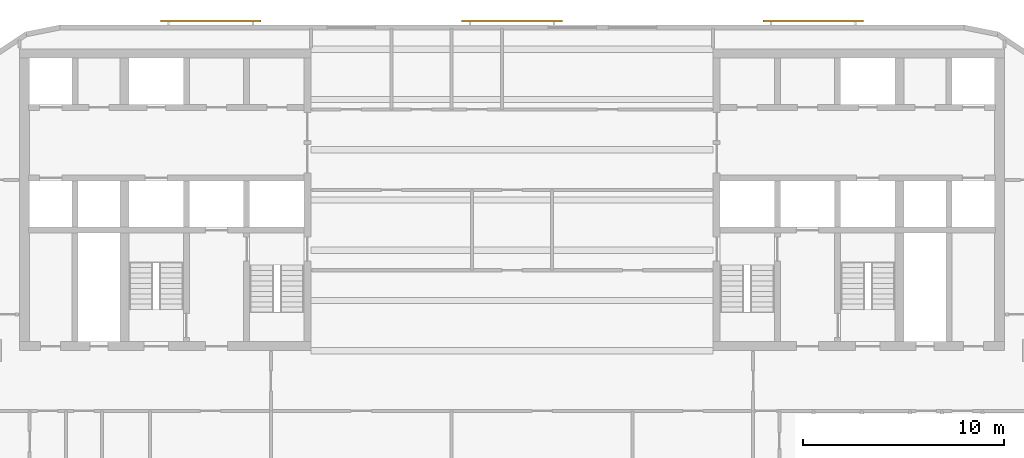
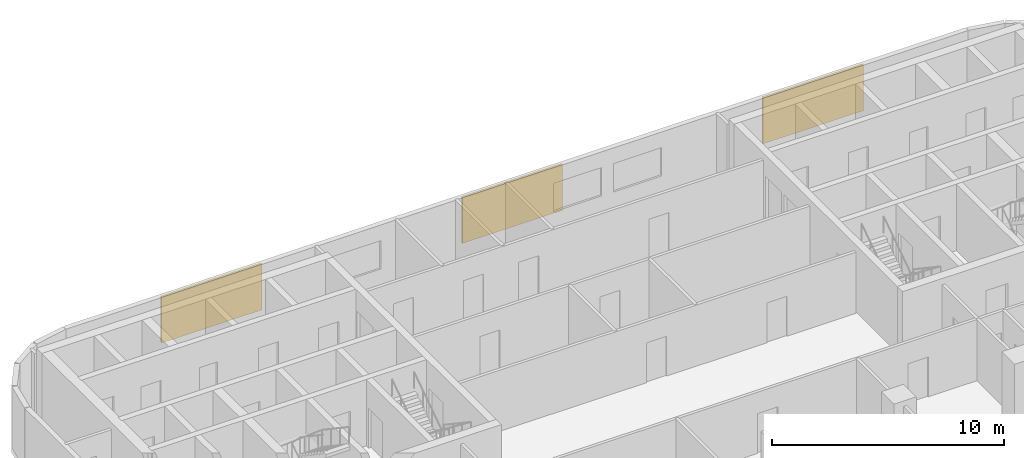
# One storey, part 10 of 11: 3 shading devices.
"""IFC4 building model written with IfcOpenShell, lengths in metres."""

from ifc_helpers import new_model, si_unit, direction, frame, origin, origin_2d, place, context, subcontext, project, spatial, rectangle, extrude, material, layer, layer_set, type_object, element, save


model = new_model("IFC4")

# Units and contexts
model_context = context("Model", 3, precision=1e-05, world=origin(), true_north=direction((0.0, 1.0)))
body_context = subcontext(model_context, "Body", "Model", "MODEL_VIEW")
ifc_project = project(units=[si_unit("LENGTHUNIT", "METRE"), si_unit("AREAUNIT", "SQUARE_METRE"), si_unit("VOLUMEUNIT", "CUBIC_METRE"), si_unit("PLANEANGLEUNIT", "RADIAN"), si_unit("MASSUNIT", "GRAM", prefix="KILO")], contexts=[model_context])

# Site, building, storey
site_placement = place(None, origin())
site = spatial("IfcSite", under=ifc_project, at=site_placement, CompositionType="ELEMENT")
building_placement = place(site_placement, origin())
building = spatial("IfcBuilding", under=site, at=building_placement, Name="Torana Hotel and Residences", CompositionType="ELEMENT")
storey_placement = place(building_placement, frame((0.0, 0.0, 229.10009765625)))
storey = spatial("IfcBuildingStorey", under=building, at=storey_placement, Name="L60", CompositionType="ELEMENT", Elevation=229.10009765625)

# Shading devices
ifc_material = material(Name="Concrete C40/50 precast", Category="concrete")
ifc_layer = layer(ifc_material, 0.10009765625)
ifc_layer_set = layer_set([ifc_layer], Name="SC1 PERFORATED BLOCK SCREEN PANEL 100")
shading_device_type = type_object("IfcShadingDeviceType", Name="SC1 PERFORATED BLOCK SCREEN PANEL 100", PredefinedType="USERDEFINED", material=ifc_layer_set)
for number, where, z_axis, x_axis, name in (
    (1, (14.983642578125, 1.39990234375, 0.5), (0.0, 0.0, 1.0), (-1.0, 0.0, 0.0), "Perforated block screen L60"),
    (2, (0.0, 1.39990234375, 0.5), (0.0, 0.0, 1.0), (-1.0, 0.0, 0.0), "Perforated block screen L60"),
    (3, (-14.983642578125, 1.39990234375, 0.5), (0.0, 0.0, 1.0), (-1.0, 0.0, 0.0), "Perforated block screen L60"),
):
    element("IfcShadingDevice", number, at=place(storey_placement, frame(where, z_axis=z_axis, x_axis=x_axis)), inside=storey, type_object=shading_device_type, Name=name, ObjectType="SCREEN", PredefinedType="USERDEFINED", context=body_context, shape_type="SweptSolid", body=[
        extrude(rectangle(XDim=5.0, YDim=0.10009765625, at=origin_2d()), origin(), (0.0, 0.0, 1.0), 2.419921875),
    ])

save(model, "model.ifc")
